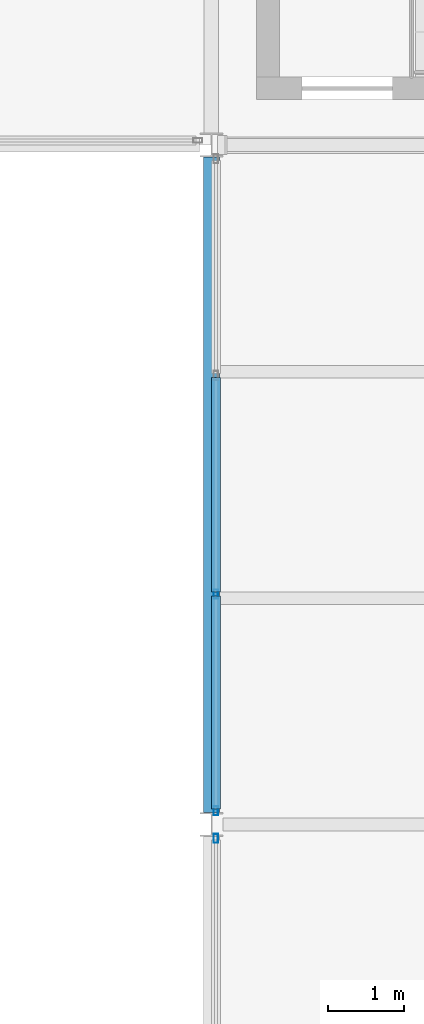
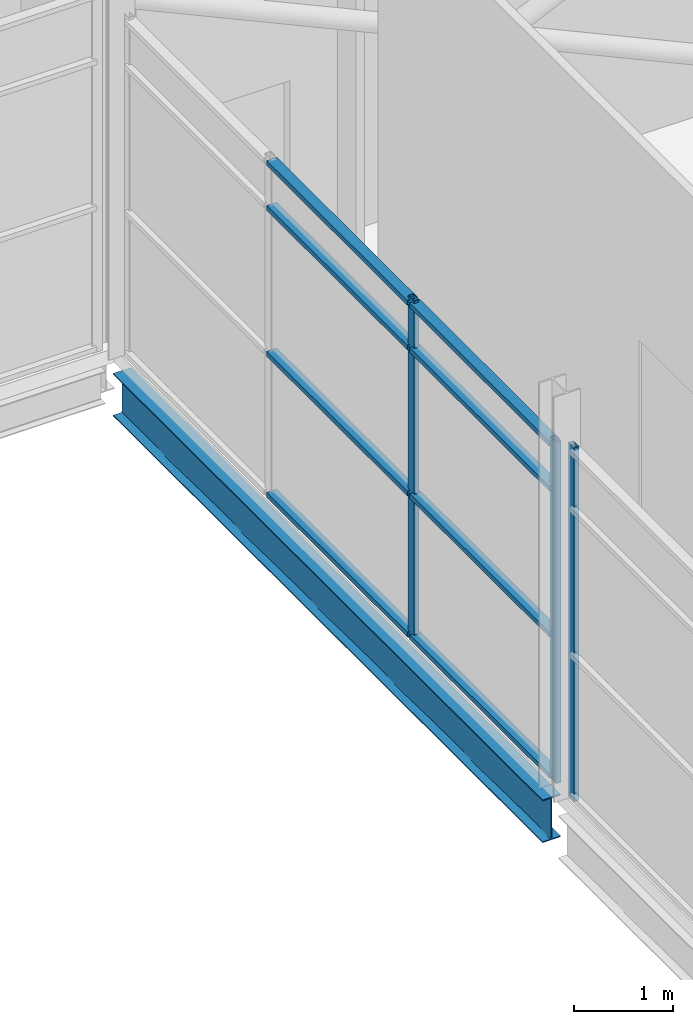
# One storey, part 41 of 61: 11 members, 1 beam, 2 elements without a shape of their own.
"""IFC4 building model written with IfcOpenShell, lengths in metres."""

import ifcopenshell
import ifcopenshell.guid

model = None  # the IFC model being written
_history = None  # IfcOwnerHistory: only IFC2X3 demands one
_inside = {}  # id of a spatial element -> (the spatial element, [elements in it])
_under = {}  # id of a project, library or spatial element -> (it, [spatial elements below it])
_declared = {}  # id of a project -> (the project, [libraries it declares])
_typed = {}  # id of a type object -> (the type object, [elements of that type])
_made_of = {}  # id of a material, layer set ... -> (it, [elements and type objects made of it])


def new_model(schema):
    """Start an empty IFC model of exactly this schema.

    Asked for "IFC4X3", IfcOpenShell would pick the latest addendum, in which some entities
    have other attributes; the version numbers below select the first issue.
    IFC2X3 requires an IfcOwnerHistory on every rooted entity: one is made here for all.
    """
    global model, _history
    if schema == "IFC4X3":
        model = ifcopenshell.file(schema_version=(4, 3, 0, 0))
    else:
        model = ifcopenshell.file(schema=schema)
    _inside.clear()
    _under.clear()
    _declared.clear()
    _typed.clear()
    _made_of.clear()
    _history = None
    if model.schema == "IFC2X3":
        org = make("IfcOrganization", Name="unknown")
        user = make(
            "IfcPersonAndOrganization",
            ThePerson=make("IfcPerson", FamilyName="unknown"),
            TheOrganization=org,
        )
        app = make(
            "IfcApplication",
            ApplicationDeveloper=org,
            Version="unknown",
            ApplicationFullName="unknown",
            ApplicationIdentifier="unknown",
        )
        _history = make(
            "IfcOwnerHistory",
            OwningUser=user,
            OwningApplication=app,
            ChangeAction="ADDED",
            CreationDate=0,
        )
    return model


def make(cls, **values):
    """One entity of the class cls with the attributes given. An attribute that is None is left unset."""
    return model.create_entity(
        cls, **{name: value for name, value in values.items() if value is not None}
    )


def rooted(cls, **values):
    """An entity with a GlobalId (a new one), such as an element, a storey or a relation."""
    return make(cls, GlobalId=ifcopenshell.guid.new(), OwnerHistory=_history, **values)


def si_unit(unit_type, name, prefix=None):
    """IfcSIUnit, for example si_unit("LENGTHUNIT", "METRE", prefix="MILLI")."""
    return make("IfcSIUnit", UnitType=unit_type, Prefix=prefix, Name=name)


def assignment(units):
    """IfcUnitAssignment: the units of a project."""
    return None if units is None else make("IfcUnitAssignment", Units=units)


def point(xyz):
    """IfcCartesianPoint."""
    return None if xyz is None else make("IfcCartesianPoint", Coordinates=xyz)


def direction(xyz):
    """IfcDirection."""
    return None if xyz is None else make("IfcDirection", DirectionRatios=xyz)


def frame(location, z_axis=None, x_axis=None):
    """IfcAxis2Placement3D, a coordinate frame: its origin and axes. An axis left out is left unset."""
    return make(
        "IfcAxis2Placement3D",
        Location=point(location),
        Axis=direction(z_axis),
        RefDirection=direction(x_axis),
    )


def frame_2d(location, x_axis=None):
    """IfcAxis2Placement2D, a coordinate frame in the plane: its origin and x axis."""
    return make(
        "IfcAxis2Placement2D", Location=point(location), RefDirection=direction(x_axis)
    )


def origin():
    """The frame at (0, 0, 0) with its axes left unset."""
    return frame((0.0, 0.0, 0.0))


def origin_2d():
    """The frame at (0, 0) in the plane with its x axis left unset."""
    return frame_2d((0.0, 0.0))


def place(relative_to, where):
    """IfcLocalPlacement: puts the frame where relative to a parent placement (None: the world)."""
    return make(
        "IfcLocalPlacement", PlacementRelTo=relative_to, RelativePlacement=where
    )


def context(
    kind, dimensions, precision=None, world=None, true_north=None, identifier=None
):
    """IfcGeometricRepresentationContext, for example the 3D "Model" context."""
    return make(
        "IfcGeometricRepresentationContext",
        ContextIdentifier=identifier,
        ContextType=kind,
        CoordinateSpaceDimension=dimensions,
        Precision=precision,
        WorldCoordinateSystem=world,
        TrueNorth=true_north,
    )


def subcontext(parent, identifier, kind, view, scale=None):
    """IfcGeometricRepresentationSubContext, for example "Body" below "Model"."""
    return make(
        "IfcGeometricRepresentationSubContext",
        ContextIdentifier=identifier,
        ContextType=kind,
        ParentContext=parent,
        TargetScale=scale,
        TargetView=view,
    )


def project(units=None, contexts=None):
    """IfcProject with its units and contexts."""
    return rooted(
        "IfcProject",
        Name="project",
        RepresentationContexts=contexts,
        UnitsInContext=assignment(units),
    )


def spatial(cls, under=None, at=None, **own):
    """A site, building, storey or space (cls), placed at a placement, below another one or the project."""
    s = rooted(cls, ObjectPlacement=at, **own)
    if under is not None:
        _under.setdefault(under.id(), (under, []))[1].append(s)
    return s


def profile(cls, at=None, kind="AREA", **sizes):
    """A parametric profile (cls). Its sizes go by their IFC names, for example OverallWidth=200.0."""
    return make(cls, ProfileType=kind, Position=at, **sizes)


def hollow_rectangle(**sizes):
    """IfcRectangleHollowProfileDef."""
    return profile("IfcRectangleHollowProfileDef", **sizes)


def i_section(**sizes):
    """IfcIShapeProfileDef."""
    return profile("IfcIShapeProfileDef", **sizes)


def extrude(swept, where, along, depth):
    """IfcExtrudedAreaSolid: the profile swept, set in the frame where, extruded along a direction by depth."""
    return make(
        "IfcExtrudedAreaSolid",
        SweptArea=swept,
        Position=where,
        ExtrudedDirection=direction(along),
        Depth=depth,
    )


def shape(context_of_items, identifier, shape_type, items):
    """IfcShapeRepresentation: the items that make up one representation, for example the "Body"."""
    return make(
        "IfcShapeRepresentation",
        ContextOfItems=context_of_items,
        RepresentationIdentifier=identifier,
        RepresentationType=shape_type,
        Items=items,
    )


def material(Name=None, Category=None):
    """IfcMaterial."""
    return make("IfcMaterial", Name=Name, Category=Category)


def layer(
    of_material, thickness, ventilated=None, Name=None, Category=None, Priority=None
):
    """IfcMaterialLayer: one layer of a wall or slab, of a material (None: an air gap)."""
    return make(
        "IfcMaterialLayer",
        Material=of_material,
        LayerThickness=thickness,
        IsVentilated=ventilated,
        Name=Name,
        Category=Category,
        Priority=Priority,
    )


def layer_set(layers, Name=None):
    """IfcMaterialLayerSet."""
    return make("IfcMaterialLayerSet", MaterialLayers=layers, LayerSetName=Name)


def material_profile(
    of_material, cross_section, Name=None, Category=None, Priority=None
):
    """IfcMaterialProfile: a cross section and its material."""
    return make(
        "IfcMaterialProfile",
        Name=Name,
        Material=of_material,
        Profile=cross_section,
        Priority=Priority,
        Category=Category,
    )


def profile_set(profiles, Name=None, composite=None):
    """IfcMaterialProfileSet."""
    return make(
        "IfcMaterialProfileSet",
        Name=Name,
        MaterialProfiles=profiles,
        CompositeProfile=composite,
    )


def made_of(thing, what):
    """Note that an element or type object is made of a material, layer set ...; save() writes the relation."""
    if what is not None:
        _made_of.setdefault(what.id(), (what, []))[1].append(thing)
    return thing


def type_object(cls, material=None, **own):
    """A type object (cls), such as IfcWallType, which elements share."""
    return made_of(rooted(cls, **own), material)


def element(
    cls,
    number,
    at=None,
    inside=None,
    cuts=None,
    type_object=None,
    material=None,
    context=None,
    identifier="Body",
    shape_type=None,
    held_by="IfcProductDefinitionShape",
    body=None,
    shapes=None,
    **own,
):
    """One element of the class cls, such as IfcWall. Its Tag is "e" and its number.

    at: its placement. inside: the storey or other place that contains it. cuts: it is an
    opening in that element (IfcRelVoidsElement). A single representation is given by context,
    identifier, shape_type and body (its items); several are given by shapes. held_by: the class
    of the entity that holds the representations. save() writes the other relations.
    """
    e = rooted(cls, Tag="e%d" % number, ObjectPlacement=at, **own)
    if body is not None:
        shapes = [shape(context, identifier, shape_type, body)]
    if shapes is not None:
        e.Representation = make(held_by, Representations=shapes)
    if inside is not None:
        _inside.setdefault(inside.id(), (inside, []))[1].append(e)
    if cuts is not None:
        rooted(
            "IfcRelVoidsElement", RelatingBuildingElement=cuts, RelatedOpeningElement=e
        )
    if type_object is not None:
        _typed.setdefault(type_object.id(), (type_object, []))[1].append(e)
    return made_of(e, material)


def aggregate(whole, parts):
    """IfcRelAggregates: a whole, such as a stair, and the parts it consists of."""
    return rooted("IfcRelAggregates", RelatingObject=whole, RelatedObjects=parts)


def save(model, path):
    """Write the relations noted so far, then the file.

    IfcRelAggregates (storeys below a building ...), IfcRelContainedInSpatialStructure (elements
    in a storey), IfcRelDefinesByType, IfcRelAssociatesMaterial and IfcRelDeclares: one each for
    every whole, place, type object, material and project.
    """
    for whole, parts in _under.values():
        aggregate(whole, parts)
    for where, things in _inside.values():
        rooted(
            "IfcRelContainedInSpatialStructure",
            RelatedElements=things,
            RelatingStructure=where,
        )
    for kind, things in _typed.values():
        rooted("IfcRelDefinesByType", RelatedObjects=things, RelatingType=kind)
    for what, things in _made_of.values():
        rooted("IfcRelAssociatesMaterial", RelatedObjects=things, RelatingMaterial=what)
    for by, libraries in _declared.values():
        rooted("IfcRelDeclares", RelatingContext=by, RelatedDefinitions=libraries)
    model.write(path)


model = new_model("IFC4")

# Units and contexts
model_context = context("Model", 3, precision=1e-05, world=origin(), true_north=direction((0.0, 1.0)))
body_context = subcontext(model_context, "Body", "Model", "MODEL_VIEW")
ifc_project = project(units=[si_unit("LENGTHUNIT", "METRE"), si_unit("AREAUNIT", "SQUARE_METRE"), si_unit("VOLUMEUNIT", "CUBIC_METRE"), si_unit("PLANEANGLEUNIT", "RADIAN"), si_unit("MASSUNIT", "GRAM", prefix="KILO")], contexts=[model_context])

# Site, building, storey
site_placement = place(None, origin())
site = spatial("IfcSite", under=ifc_project, at=site_placement, CompositionType="ELEMENT")
building_placement = place(site_placement, origin())
building = spatial("IfcBuilding", under=site, at=building_placement, Name="Shorebreak Coast Museum", CompositionType="ELEMENT")
storey_placement = place(building_placement, frame((0.0, 0.0, 26.0)))
storey = spatial("IfcBuildingStorey", under=building, at=storey_placement, Name="L04", CompositionType="ELEMENT", Elevation=26.0)

# Beam
ifc_material_1 = material(Name="Steel Grade 300", Category="steel")
ifc_material_profile_1 = material_profile(ifc_material_1, i_section(OverallWidth=0.208984375, OverallDepth=0.5283203125, WebThickness=0.009521484375, FlangeThickness=0.01318359375, FilletRadius=0.013916015625, at=origin_2d()), Name="530UB82.0")
ifc_profile_set_1 = profile_set([ifc_material_profile_1], Name="Steel Grade 300")
beam_type = type_object("IfcBeamType", Name="Floor girder north-south 530UB82.0", PredefinedType="BEAM", material=ifc_profile_set_1)
beam_placement = place(storey_placement, frame((108.0, 72.160400390625, -0.439208984375), z_axis=(0.0, 1.0, 0.0), x_axis=(-1.0, 0.0, 0.0)))
element("IfcBeam", 1, at=beam_placement, inside=storey, type_object=beam_type, Name="Floor girder north-south L04 13J", PredefinedType="BEAM", context=body_context, shape_type="SweptSolid", body=[
    extrude(i_section(OverallWidth=0.208984375, OverallDepth=0.5283203125, WebThickness=0.009521484375, FlangeThickness=0.01318359375, FilletRadius=0.013916015625, at=origin_2d()), origin(), (0.0, 0.0, 1.0), 8.67919921875),
])

# Curtain wall, member
ifc_material_2 = material(Name="Aluminium", Category="aluminium")
ifc_layer = layer(ifc_material_2, 0.1201171875)
ifc_layer_set = layer_set([ifc_layer], Name="Aluminium")
curtain_wall_type = type_object("IfcCurtainWallType", Name="Atrium fire screen", PredefinedType="NOTDEFINED", material=ifc_layer_set)
curtain_wall_1_placement = place(storey_placement, origin())
curtain_wall_1 = element("IfcCurtainWall", 2, at=curtain_wall_1_placement, inside=storey, type_object=curtain_wall_type, Name="Atrium screen L04 E 61", PredefinedType="NOTDEFINED")
ifc_material_3 = material(Name="Aluminium", Category="aluminium")
ifc_material_profile_2 = material_profile(ifc_material_3, hollow_rectangle(XDim=0.06005859375, YDim=0.1201171875, WallThickness=0.00341796875, at=origin_2d()), Name="AL 120x60 RHS")
ifc_profile_set_2 = profile_set([ifc_material_profile_2], Name="Aluminium")
member_type_1 = type_object("IfcMemberType", Name="Screen mullion 50 x 120", PredefinedType="MULLION", material=ifc_profile_set_2)
member_1_placement = place(storey_placement, frame((108.06005859375, 71.817626953125, 0.0), z_axis=(0.0, 0.0, 1.0), x_axis=(-1.0, 0.0, 0.0)))
member_1 = element("IfcMember", 3, at=member_1_placement, type_object=member_type_1, Name="CW5 mullion 4", PredefinedType="MULLION", context=body_context, shape_type="SweptSolid", body=[
    extrude(hollow_rectangle(XDim=0.06005859375, YDim=0.1201171875, WallThickness=0.00341796875, at=origin_2d()), origin(), (0.0, 0.0, 1.0), 4.364501953125),
])
aggregate(curtain_wall_1, [member_1])

# Curtain wall, members
curtain_wall_2_placement = place(storey_placement, origin())
curtain_wall_2 = element("IfcCurtainWall", 4, at=curtain_wall_2_placement, inside=storey, type_object=curtain_wall_type, Name="Atrium screen L04 E 62", PredefinedType="NOTDEFINED")
member_2_placement = place(storey_placement, frame((108.06005859375, 72.182373046875, 0.0), z_axis=(0.0, 0.0, 1.0), x_axis=(-1.0, 0.0, 0.0)))
member_2 = element("IfcMember", 5, at=member_2_placement, type_object=member_type_1, Name="CW6 mullion 1", PredefinedType="MULLION", context=body_context, shape_type="SweptSolid", body=[
    extrude(hollow_rectangle(XDim=0.06005859375, YDim=0.1201171875, WallThickness=0.00341796875, at=origin_2d()), origin(), (0.0, 0.0, 1.0), 4.212890625),
])
member_3_placement = place(storey_placement, frame((108.06005859375, 75.052490234375, 0.0), z_axis=(0.0, 0.0, 1.0), x_axis=(-1.0, 0.0, 0.0)))
member_3 = element("IfcMember", 6, at=member_3_placement, type_object=member_type_1, Name="CW6 mullion 2", PredefinedType="MULLION", context=body_context, shape_type="SweptSolid", body=[
    extrude(hollow_rectangle(XDim=0.06005859375, YDim=0.1201171875, WallThickness=0.00341796875, at=origin_2d()), origin(), (0.0, 0.0, 1.0), 4.212890625),
])
ifc_material_4 = material(Name="Aluminium", Category="aluminium")
ifc_material_profile_3 = material_profile(ifc_material_4, hollow_rectangle(XDim=0.1201171875, YDim=0.06005859375, WallThickness=0.00341796875, at=origin_2d()), Name="AL 60x120 RHS")
ifc_profile_set_3 = profile_set([ifc_material_profile_3], Name="Aluminium")
member_type_2 = type_object("IfcMemberType", Name="Screen transom 120 x 50", PredefinedType="USERDEFINED", material=ifc_profile_set_3)
member_4_placement = place(storey_placement, frame((108.06005859375, 72.207275390625, 0.06005859375), z_axis=(0.0, 1.0, 0.0), x_axis=(-1.0, 0.0, 0.0)))
member_4 = element("IfcMember", 7, at=member_4_placement, type_object=member_type_2, Name="CW6 transom 1.1", ObjectType="TRANSOM", PredefinedType="USERDEFINED", context=body_context, shape_type="SweptSolid", body=[
    extrude(hollow_rectangle(XDim=0.1201171875, YDim=0.06005859375, WallThickness=0.00341796875, at=origin_2d()), origin(), (0.0, 0.0, 1.0), 2.820068359375),
])
member_5_placement = place(storey_placement, frame((108.06005859375, 72.207275390625, 1.800048828125), z_axis=(0.0, 1.0, 0.0), x_axis=(-1.0, 0.0, 0.0)))
member_5 = element("IfcMember", 8, at=member_5_placement, type_object=member_type_2, Name="CW6 transom 1.2", ObjectType="TRANSOM", PredefinedType="USERDEFINED", context=body_context, shape_type="SweptSolid", body=[
    extrude(hollow_rectangle(XDim=0.1201171875, YDim=0.06005859375, WallThickness=0.00341796875, at=origin_2d()), origin(), (0.0, 0.0, 1.0), 2.820068359375),
])
member_6_placement = place(storey_placement, frame((108.06005859375, 72.207275390625, 3.60009765625), z_axis=(0.0, 1.0, 0.0), x_axis=(-1.0, 0.0, 0.0)))
member_6 = element("IfcMember", 9, at=member_6_placement, type_object=member_type_2, Name="CW6 transom 1.3", ObjectType="TRANSOM", PredefinedType="USERDEFINED", context=body_context, shape_type="SweptSolid", body=[
    extrude(hollow_rectangle(XDim=0.1201171875, YDim=0.06005859375, WallThickness=0.00341796875, at=origin_2d()), origin(), (0.0, 0.0, 1.0), 2.820068359375),
])
member_7_placement = place(storey_placement, frame((108.06005859375, 72.207275390625, 4.153076171875), z_axis=(0.0, 1.0, 0.0), x_axis=(-1.0, 0.0, 0.0)))
member_7 = element("IfcMember", 10, at=member_7_placement, type_object=member_type_2, Name="CW6 transom 1.4", ObjectType="TRANSOM", PredefinedType="USERDEFINED", context=body_context, shape_type="SweptSolid", body=[
    extrude(hollow_rectangle(XDim=0.1201171875, YDim=0.06005859375, WallThickness=0.00341796875, at=origin_2d()), origin(), (0.0, 0.0, 1.0), 2.820068359375),
])
member_8_placement = place(storey_placement, frame((108.06005859375, 75.077392578125, 0.06005859375), z_axis=(0.0, 1.0, 0.0), x_axis=(-1.0, 0.0, 0.0)))
member_8 = element("IfcMember", 11, at=member_8_placement, type_object=member_type_2, Name="CW6 transom 2.1", ObjectType="TRANSOM", PredefinedType="USERDEFINED", context=body_context, shape_type="SweptSolid", body=[
    extrude(hollow_rectangle(XDim=0.1201171875, YDim=0.06005859375, WallThickness=0.00341796875, at=origin_2d()), origin(), (0.0, 0.0, 1.0), 2.84521484375),
])
member_9_placement = place(storey_placement, frame((108.06005859375, 75.077392578125, 1.800048828125), z_axis=(0.0, 1.0, 0.0), x_axis=(-1.0, 0.0, 0.0)))
member_9 = element("IfcMember", 12, at=member_9_placement, type_object=member_type_2, Name="CW6 transom 2.2", ObjectType="TRANSOM", PredefinedType="USERDEFINED", context=body_context, shape_type="SweptSolid", body=[
    extrude(hollow_rectangle(XDim=0.1201171875, YDim=0.06005859375, WallThickness=0.00341796875, at=origin_2d()), origin(), (0.0, 0.0, 1.0), 2.84521484375),
])
member_10_placement = place(storey_placement, frame((108.06005859375, 75.077392578125, 3.60009765625), z_axis=(0.0, 1.0, 0.0), x_axis=(-1.0, 0.0, 0.0)))
member_10 = element("IfcMember", 13, at=member_10_placement, type_object=member_type_2, Name="CW6 transom 2.3", ObjectType="TRANSOM", PredefinedType="USERDEFINED", context=body_context, shape_type="SweptSolid", body=[
    extrude(hollow_rectangle(XDim=0.1201171875, YDim=0.06005859375, WallThickness=0.00341796875, at=origin_2d()), origin(), (0.0, 0.0, 1.0), 2.84521484375),
])
member_11_placement = place(storey_placement, frame((108.06005859375, 75.077392578125, 4.153076171875), z_axis=(0.0, 1.0, 0.0), x_axis=(-1.0, 0.0, 0.0)))
member_11 = element("IfcMember", 14, at=member_11_placement, type_object=member_type_2, Name="CW6 transom 2.4", ObjectType="TRANSOM", PredefinedType="USERDEFINED", context=body_context, shape_type="SweptSolid", body=[
    extrude(hollow_rectangle(XDim=0.1201171875, YDim=0.06005859375, WallThickness=0.00341796875, at=origin_2d()), origin(), (0.0, 0.0, 1.0), 2.84521484375),
])
aggregate(curtain_wall_2, [member_2, member_3, member_4, member_5, member_6, member_7, member_8, member_9, member_10, member_11])

save(model, "model.ifc")
